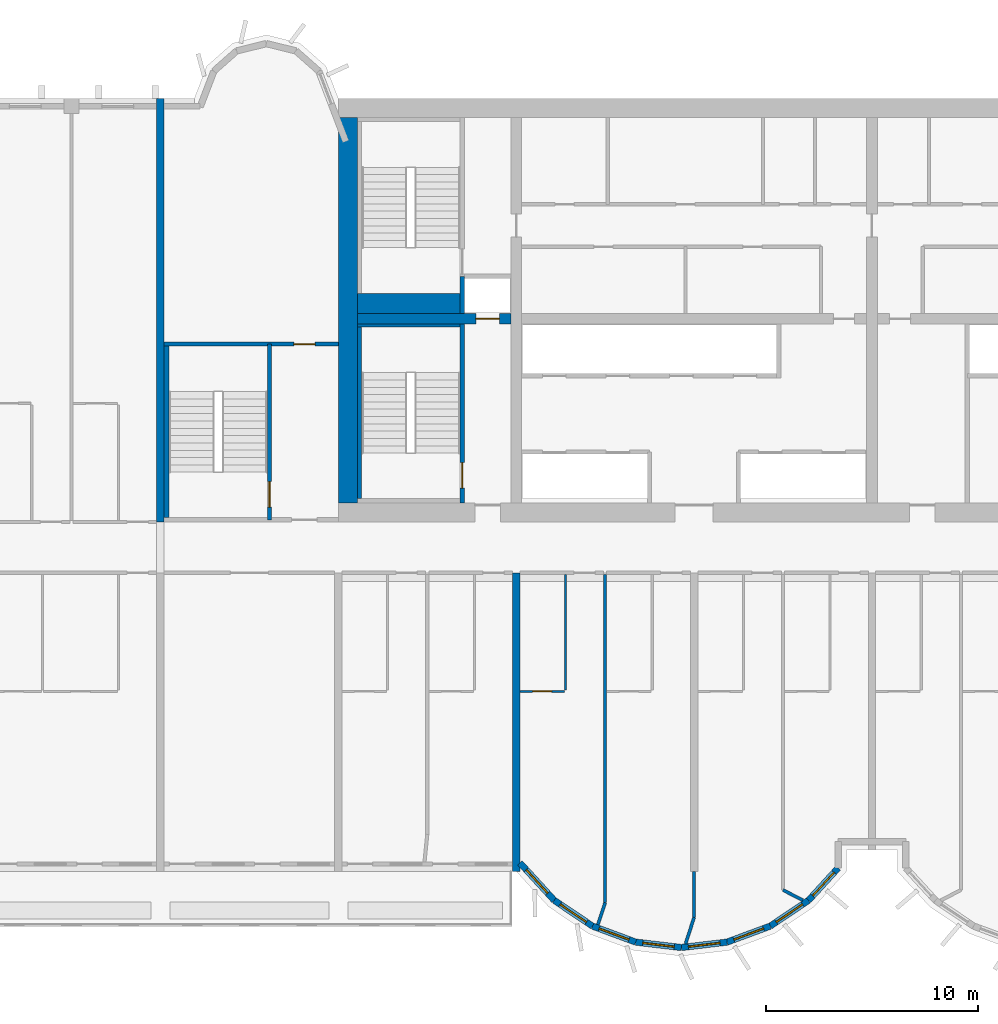
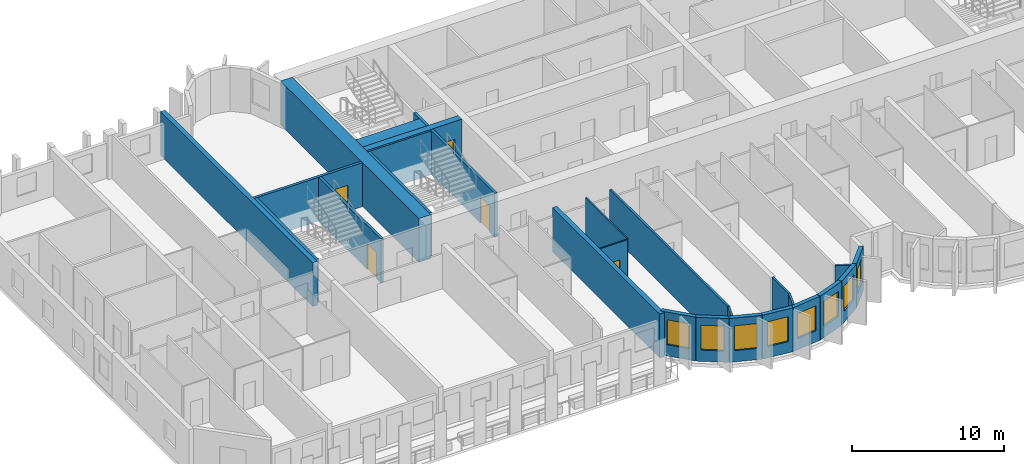
# One storey, part 4 of 14: 27 walls, 8 windows, 5 doors, 13 openings.
"""IFC4 building model written with IfcOpenShell, lengths in metres."""

from ifc_helpers import new_model, si_unit, direction, frame, frame_2d, origin, place, context, subcontext, project, spatial, rectangle, extrude, source, transform, mapped, material, layer, layer_set, type_object, element, fill, save


model = new_model("IFC4")

# Units and contexts
model_context = context("Model", 3, precision=1e-05, world=origin(), true_north=direction((0.0, 1.0)))
body_context = subcontext(model_context, "Body", "Model", "MODEL_VIEW")
ifc_project = project(units=[si_unit("LENGTHUNIT", "METRE"), si_unit("AREAUNIT", "SQUARE_METRE"), si_unit("VOLUMEUNIT", "CUBIC_METRE"), si_unit("PLANEANGLEUNIT", "RADIAN"), si_unit("MASSUNIT", "GRAM", prefix="KILO")], contexts=[model_context])

# Site, building, storey
site_placement = place(None, origin())
site = spatial("IfcSite", under=ifc_project, at=site_placement, CompositionType="ELEMENT")
building_placement = place(site_placement, origin())
building = spatial("IfcBuilding", under=site, at=building_placement, Name="Vanashikhar Sky Hotel", CompositionType="ELEMENT")
storey_placement = place(building_placement, frame((0.0, 0.0, 99.0)))
storey = spatial("IfcBuildingStorey", under=building, at=storey_placement, Name="L23", CompositionType="ELEMENT", Elevation=99.0)

# Wall
ifc_material_1 = material(Name="Concrete M70", Category="concrete")
ifc_layer_1 = layer(ifc_material_1, 0.89990234375)
ifc_layer_set_1 = layer_set([ifc_layer_1], Name="RC core shell wall 900 Concrete M70")
wall_type_1 = type_object("IfcWallType", Name="RC core shell wall 900 Concrete M70", PredefinedType="SHEAR", material=ifc_layer_set_1)
shared_shape_1 = source(origin(), body_context, "Body", "SweptSolid", [
    extrude(rectangle(XDim=18.2001953125, YDim=0.89990234375, at=frame_2d((9.10009765625, 0.0))), origin(), (0.0, 0.0, 1.0), 3.52001953125),
])
wall_1_placement = place(storey_placement, frame((25.64990234375, 22.89990234375, 0.0), z_axis=(0.0, 0.0, 1.0), x_axis=(0.0, 1.0, 0.0)))
element("IfcWall", 1, at=wall_1_placement, inside=storey, type_object=wall_type_1, Name="KW-L23-KW", PredefinedType="SHEAR", context=body_context, shape_type="MappedRepresentation", body=[
    mapped(shared_shape_1, transform((0.0, 0.0, 0.0), scale=1.0)),
])

# Wall, opening, door
ifc_layer_2 = layer(ifc_material_1, 0.5)
ifc_layer_set_2 = layer_set([ifc_layer_2], Name="RC core inner wall 500 Concrete M70")
wall_type_2 = type_object("IfcWallType", Name="RC core inner wall 500 Concrete M70", PredefinedType="SHEAR", material=ifc_layer_set_2)
shared_shape_2 = source(origin(), body_context, "Body", "SweptSolid", [
    extrude(rectangle(XDim=7.25, YDim=0.5, at=frame_2d((3.625, 0.0))), origin(), (0.0, 0.0, 1.0), 3.52001953125),
])
wall_2_placement = place(storey_placement, frame((26.10009765625, 31.60009765625, 0.0), z_axis=(0.0, 0.0, 1.0), x_axis=(1.0, 0.0, 0.0)))
wall_2 = element("IfcWall", 2, at=wall_2_placement, inside=storey, type_object=wall_type_2, Name="KW-L23-KY1", PredefinedType="SHEAR", context=body_context, shape_type="MappedRepresentation", body=[
    mapped(shared_shape_2, transform((0.0, 0.0, 0.0), scale=1.0)),
])
shared_shape_3 = source(origin(), body_context, "Body", "SweptSolid", [
    extrude(rectangle(XDim=1.10009765625, YDim=2.10009765625, at=frame_2d((0.550048828125, 1.050048828125))), frame((0.0, 0.260009765625, 0.0), z_axis=(0.0, -1.0, 0.0), x_axis=(1.0, 0.0, 0.0)), (0.0, 0.0, 1.0), 0.52001953125),
])
opening_1_placement = place(wall_2_placement, frame((5.60009765625, 0.0, 0.0)))
opening_1 = element("IfcOpeningElement", 3, at=opening_1_placement, cuts=wall_2, Name="Opening LD", PredefinedType="OPENING", context=body_context, shape_type="MappedRepresentation", body=[
    mapped(shared_shape_3, transform((0.0, 0.0, 0.0), scale=1.0)),
])
ifc_material_2 = material(Name="Stainless steel", Category="steel")
door_type_1 = type_object("IfcDoorType", Name="Lift landing door 1100", OperationType="NOTDEFINED", PredefinedType="DOOR", material=ifc_material_2)
shared_shape_4 = source(origin(), body_context, "Body", "SweptSolid", [
    extrude(rectangle(XDim=1.10009765625, YDim=2.10009765625, at=frame_2d((0.550048828125, 1.050048828125))), frame((0.0, 0.02490234375, 0.0), z_axis=(0.0, -1.0, 0.0), x_axis=(1.0, 0.0, 0.0)), (0.0, 0.0, 1.0), 0.050048828125),
])
door_1_placement = place(opening_1_placement, origin())
door_1 = element("IfcDoor", 4, at=door_1_placement, inside=storey, type_object=door_type_1, Name="Lift landing door 1100", OperationType="SLIDING_TO_RIGHT", OverallHeight=2.10009765625, OverallWidth=1.10009765625, PredefinedType="DOOR", context=body_context, shape_type="MappedRepresentation", body=[
    mapped(shared_shape_4, transform((0.0, 0.0, 0.0), scale=1.0)),
])
fill(opening_1, door_1)

# Walls
ifc_layer_3 = layer(ifc_material_1, 0.35009765625)
ifc_layer_set_3 = layer_set([ifc_layer_3], Name="RC shear wall 350 Concrete M70")
wall_type_3 = type_object("IfcWallType", Name="RC shear wall 350 Concrete M70", PredefinedType="SHEAR", material=ifc_layer_set_3)
shared_shape_5 = source(origin(), body_context, "Body", "SweptSolid", [
    extrude(rectangle(XDim=14.10009765625, YDim=0.35009765625, at=frame_2d((7.050048828125, 0.0))), origin(), (0.0, 0.0, 1.0), 3.52001953125),
])
wall_3_placement = place(storey_placement, frame((33.60009765625, 5.5, 0.0), z_axis=(0.0, 0.0, 1.0), x_axis=(0.0, 1.0, 0.0)))
element("IfcWall", 5, at=wall_3_placement, inside=storey, type_object=wall_type_3, Name="CW-L23-XW05-1", PredefinedType="SHEAR", context=body_context, shape_type="MappedRepresentation", body=[
    mapped(shared_shape_5, transform((0.0, 0.0, 0.0), scale=1.0)),
])
shared_shape_6 = source(origin(), body_context, "Body", "SweptSolid", [
    extrude(rectangle(XDim=20.0, YDim=0.35009765625, at=frame_2d((10.0, 0.0))), origin(), (0.0, 0.0, 1.0), 3.52001953125),
])
wall_4_placement = place(storey_placement, frame((16.800048828125, 22.0, 0.0), z_axis=(0.0, 0.0, 1.0), x_axis=(0.0, 1.0, 0.0)))
element("IfcWall", 6, at=wall_4_placement, inside=storey, type_object=wall_type_3, Name="CW-L23-XW03-2", PredefinedType="SHEAR", context=body_context, shape_type="MappedRepresentation", body=[
    mapped(shared_shape_6, transform((0.0, 0.0, 0.0), scale=1.0)),
])

# Wall, opening, window
ifc_material_3 = material(Name="Concrete M50", Category="concrete")
ifc_layer_4 = layer(ifc_material_3, 0.300048828125)
ifc_layer_set_4 = layer_set([ifc_layer_4], Name="Lobe wall 300")
wall_type_4 = type_object("IfcWallType", Name="Lobe wall 300", PredefinedType="SOLIDWALL", material=ifc_layer_set_4)
shared_shape_7 = source(origin(), body_context, "Body", "SweptSolid", [
    extrude(rectangle(XDim=2.398193359375, YDim=0.300048828125, at=frame_2d((1.19921875, 0.0))), origin(), (0.0, 0.0, 1.0), 3.52001953125),
])
wall_5_placement = place(storey_placement, frame((33.776123046875, 5.89990234375, 0.0), z_axis=(0.0, 0.0, 1.0), x_axis=(0.675374189419, -0.737475222815, 0.0)))
wall_5 = element("IfcWall", 7, at=wall_5_placement, inside=storey, type_object=wall_type_4, Name="Lobe wall", PredefinedType="SOLIDWALL", context=body_context, shape_type="MappedRepresentation", body=[
    mapped(shared_shape_7, transform((0.0, 0.0, 0.0), scale=1.0)),
])
shared_shape_8 = source(origin(), body_context, "Body", "SweptSolid", [
    extrude(rectangle(XDim=1.5, YDim=2.0, at=frame_2d((0.75, 1.0))), frame((0.0, 0.16015625, 0.0), z_axis=(0.0, -1.0, 0.0), x_axis=(1.0, 0.0, 0.0)), (0.0, 0.0, 1.0), 0.320068359375),
])
opening_2_placement = place(wall_5_placement, frame((0.44921875, 0.0, 0.89990234375)))
opening_2 = element("IfcOpeningElement", 8, at=opening_2_placement, cuts=wall_5, Name="Opening WN-2", PredefinedType="OPENING", context=body_context, shape_type="MappedRepresentation", body=[
    mapped(shared_shape_8, transform((0.0, 0.0, 0.0), scale=1.0)),
])
ifc_material_4 = material(Name="Glass", Category="glass")
window_type = type_object("IfcWindowType", Name="Lobe window 1500 x 2000", PartitioningType="SINGLE_PANEL", PredefinedType="WINDOW", material=ifc_material_4)
shared_shape_9 = source(origin(), body_context, "Body", "SweptSolid", [
    extrude(rectangle(XDim=1.5, YDim=2.0, at=frame_2d((0.75, 1.0))), frame((0.0, 0.030029296875, 0.0), z_axis=(0.0, -1.0, 0.0), x_axis=(1.0, 0.0, 0.0)), (0.0, 0.0, 1.0), 0.06005859375),
])
window_1_placement = place(opening_2_placement, origin())
window_1 = element("IfcWindow", 9, at=window_1_placement, inside=storey, type_object=window_type, Name="Window WN-2", OverallHeight=2.0, OverallWidth=1.5, PartitioningType="SINGLE_PANEL", PredefinedType="WINDOW", context=body_context, shape_type="MappedRepresentation", body=[
    mapped(shared_shape_9, transform((0.0, 0.0, 0.0), scale=1.0)),
])
fill(opening_2, window_1)

shared_shape_10 = source(origin(), body_context, "Body", "SweptSolid", [
    extrude(rectangle(XDim=2.17578125, YDim=0.300048828125, at=frame_2d((1.087890625, 0.0))), origin(), (0.0, 0.0, 1.0), 3.52001953125),
])
wall_6_placement = place(storey_placement, frame((35.395751953125, 4.13134765625, 0.0), z_axis=(0.0, 0.0, 1.0), x_axis=(0.829590746428, -0.558371913192, 0.0)))
wall_6 = element("IfcWall", 10, at=wall_6_placement, inside=storey, type_object=wall_type_4, Name="Lobe wall", PredefinedType="SOLIDWALL", context=body_context, shape_type="MappedRepresentation", body=[
    mapped(shared_shape_10, transform((0.0, 0.0, 0.0), scale=1.0)),
])
opening_3_placement = place(wall_6_placement, frame((0.337890625, 0.0, 0.89990234375)))
opening_3 = element("IfcOpeningElement", 11, at=opening_3_placement, cuts=wall_6, Name="Opening WN-2", PredefinedType="OPENING", context=body_context, shape_type="MappedRepresentation", body=[
    mapped(shared_shape_8, transform((0.0, 0.0, 0.0), scale=1.0)),
])
window_2_placement = place(opening_3_placement, origin())
window_2 = element("IfcWindow", 12, at=window_2_placement, inside=storey, type_object=window_type, Name="Window WN-2", OverallHeight=2.0, OverallWidth=1.5, PartitioningType="SINGLE_PANEL", PredefinedType="WINDOW", context=body_context, shape_type="MappedRepresentation", body=[
    mapped(shared_shape_9, transform((0.0, 0.0, 0.0), scale=1.0)),
])
fill(opening_3, window_2)

wall_7_placement = place(storey_placement, frame((37.20068359375, 2.91650390625, 0.0), z_axis=(0.0, 0.0, 1.0), x_axis=(0.93754555999, -0.347862505801, 0.0)))
wall_7 = element("IfcWall", 13, at=wall_7_placement, inside=storey, type_object=wall_type_4, Name="Lobe wall", PredefinedType="SOLIDWALL", context=body_context, shape_type="MappedRepresentation", body=[
    mapped(shared_shape_10, transform((0.0, 0.0, 0.0), scale=1.0)),
])
opening_4_placement = place(wall_7_placement, frame((0.337890625, 0.0, 0.89990234375)))
opening_4 = element("IfcOpeningElement", 14, at=opening_4_placement, cuts=wall_7, Name="Opening WN-2", PredefinedType="OPENING", context=body_context, shape_type="MappedRepresentation", body=[
    mapped(shared_shape_8, transform((0.0, 0.0, 0.0), scale=1.0)),
])
window_3_placement = place(opening_4_placement, origin())
window_3 = element("IfcWindow", 15, at=window_3_placement, inside=storey, type_object=window_type, Name="Window WN-2", OverallHeight=2.0, OverallWidth=1.5, PartitioningType="SINGLE_PANEL", PredefinedType="WINDOW", context=body_context, shape_type="MappedRepresentation", body=[
    mapped(shared_shape_9, transform((0.0, 0.0, 0.0), scale=1.0)),
])
fill(opening_4, window_3)

wall_8_placement = place(storey_placement, frame((45.59912109375, 2.91650390625, 0.0), z_axis=(0.0, 0.0, 1.0), x_axis=(0.829625727223, 0.558319937607, 0.0)))
wall_8 = element("IfcWall", 16, at=wall_8_placement, inside=storey, type_object=wall_type_4, Name="Lobe wall", PredefinedType="SOLIDWALL", context=body_context, shape_type="MappedRepresentation", body=[
    mapped(shared_shape_10, transform((0.0, 0.0, 0.0), scale=1.0)),
])
opening_5_placement = place(wall_8_placement, frame((0.337890625, 0.0, 0.89990234375)))
opening_5 = element("IfcOpeningElement", 17, at=opening_5_placement, cuts=wall_8, Name="Opening WN-2", PredefinedType="OPENING", context=body_context, shape_type="MappedRepresentation", body=[
    mapped(shared_shape_8, transform((0.0, 0.0, 0.0), scale=1.0)),
])
window_4_placement = place(opening_5_placement, origin())
window_4 = element("IfcWindow", 18, at=window_4_placement, inside=storey, type_object=window_type, Name="Window WN-2", OverallHeight=2.0, OverallWidth=1.5, PartitioningType="SINGLE_PANEL", PredefinedType="WINDOW", context=body_context, shape_type="MappedRepresentation", body=[
    mapped(shared_shape_9, transform((0.0, 0.0, 0.0), scale=1.0)),
])
fill(opening_5, window_4)

shared_shape_11 = source(origin(), body_context, "Body", "SweptSolid", [
    extrude(rectangle(XDim=2.174560546875, YDim=0.300048828125, at=frame_2d((1.08740234375, 0.0))), origin(), (0.0, 0.0, 1.0), 3.52001953125),
])
wall_9_placement = place(storey_placement, frame((39.240478515625, 2.15966796875, 0.0), z_axis=(0.0, 0.0, 1.0), x_axis=(0.993001132889, -0.118104826659, 0.0)))
wall_9 = element("IfcWall", 19, at=wall_9_placement, inside=storey, type_object=wall_type_4, Name="Lobe wall", PredefinedType="SOLIDWALL", context=body_context, shape_type="MappedRepresentation", body=[
    mapped(shared_shape_11, transform((0.0, 0.0, 0.0), scale=1.0)),
])
opening_6_placement = place(wall_9_placement, frame((0.33740234375, 0.0, 0.89990234375)))
opening_6 = element("IfcOpeningElement", 20, at=opening_6_placement, cuts=wall_9, Name="Opening WN-2", PredefinedType="OPENING", context=body_context, shape_type="MappedRepresentation", body=[
    mapped(shared_shape_8, transform((0.0, 0.0, 0.0), scale=1.0)),
])
window_5_placement = place(opening_6_placement, origin())
window_5 = element("IfcWindow", 21, at=window_5_placement, inside=storey, type_object=window_type, Name="Window WN-2", OverallHeight=2.0, OverallWidth=1.5, PartitioningType="SINGLE_PANEL", PredefinedType="WINDOW", context=body_context, shape_type="MappedRepresentation", body=[
    mapped(shared_shape_9, transform((0.0, 0.0, 0.0), scale=1.0)),
])
fill(opening_6, window_5)

shared_shape_12 = source(origin(), body_context, "Body", "SweptSolid", [
    extrude(rectangle(XDim=2.1748046875, YDim=0.300048828125, at=frame_2d((1.08740234375, 0.0))), origin(), (0.0, 0.0, 1.0), 3.52001953125),
])
wall_10_placement = place(storey_placement, frame((41.39990234375, 1.90283203125, 0.0), z_axis=(0.0, 0.0, 1.0), x_axis=(0.993002698611, 0.118091661648, 0.0)))
wall_10 = element("IfcWall", 22, at=wall_10_placement, inside=storey, type_object=wall_type_4, Name="Lobe wall", PredefinedType="SOLIDWALL", context=body_context, shape_type="MappedRepresentation", body=[
    mapped(shared_shape_12, transform((0.0, 0.0, 0.0), scale=1.0)),
])
opening_7_placement = place(wall_10_placement, frame((0.33740234375, 0.0, 0.89990234375)))
opening_7 = element("IfcOpeningElement", 23, at=opening_7_placement, cuts=wall_10, Name="Opening WN-2", PredefinedType="OPENING", context=body_context, shape_type="MappedRepresentation", body=[
    mapped(shared_shape_8, transform((0.0, 0.0, 0.0), scale=1.0)),
])
window_6_placement = place(opening_7_placement, origin())
window_6 = element("IfcWindow", 24, at=window_6_placement, inside=storey, type_object=window_type, Name="Window WN-2", OverallHeight=2.0, OverallWidth=1.5, PartitioningType="SINGLE_PANEL", PredefinedType="WINDOW", context=body_context, shape_type="MappedRepresentation", body=[
    mapped(shared_shape_9, transform((0.0, 0.0, 0.0), scale=1.0)),
])
fill(opening_7, window_6)

shared_shape_13 = source(origin(), body_context, "Body", "SweptSolid", [
    extrude(rectangle(XDim=2.175537109375, YDim=0.300048828125, at=frame_2d((1.087890625, 0.0))), origin(), (0.0, 0.0, 1.0), 3.52001953125),
])
wall_11_placement = place(storey_placement, frame((43.5595703125, 2.15966796875, 0.0), z_axis=(0.0, 0.0, 1.0), x_axis=(0.937531979054, 0.347899106424, 0.0)))
wall_11 = element("IfcWall", 25, at=wall_11_placement, inside=storey, type_object=wall_type_4, Name="Lobe wall", PredefinedType="SOLIDWALL", context=body_context, shape_type="MappedRepresentation", body=[
    mapped(shared_shape_13, transform((0.0, 0.0, 0.0), scale=1.0)),
])
opening_8_placement = place(wall_11_placement, frame((0.337890625, 0.0, 0.89990234375)))
opening_8 = element("IfcOpeningElement", 26, at=opening_8_placement, cuts=wall_11, Name="Opening WN-2", PredefinedType="OPENING", context=body_context, shape_type="MappedRepresentation", body=[
    mapped(shared_shape_8, transform((0.0, 0.0, 0.0), scale=1.0)),
])
window_7_placement = place(opening_8_placement, origin())
window_7 = element("IfcWindow", 27, at=window_7_placement, inside=storey, type_object=window_type, Name="Window WN-2", OverallHeight=2.0, OverallWidth=1.5, PartitioningType="SINGLE_PANEL", PredefinedType="WINDOW", context=body_context, shape_type="MappedRepresentation", body=[
    mapped(shared_shape_9, transform((0.0, 0.0, 0.0), scale=1.0)),
])
fill(opening_8, window_7)

shared_shape_14 = source(origin(), body_context, "Body", "SweptSolid", [
    extrude(rectangle(XDim=2.066650390625, YDim=0.300048828125, at=frame_2d((1.033203125, 0.0))), origin(), (0.0, 0.0, 1.0), 3.52001953125),
])
wall_12_placement = place(storey_placement, frame((47.404296875, 4.13134765625, 0.0), z_axis=(0.0, 0.0, 1.0), x_axis=(0.675355439877, 0.737492393065, 0.0)))
wall_12 = element("IfcWall", 28, at=wall_12_placement, inside=storey, type_object=wall_type_4, Name="Lobe wall", PredefinedType="SOLIDWALL", context=body_context, shape_type="MappedRepresentation", body=[
    mapped(shared_shape_14, transform((0.0, 0.0, 0.0), scale=1.0)),
])
opening_9_placement = place(wall_12_placement, frame((0.283447265625, 0.0, 0.89990234375)))
opening_9 = element("IfcOpeningElement", 29, at=opening_9_placement, cuts=wall_12, Name="Opening WN-2", PredefinedType="OPENING", context=body_context, shape_type="MappedRepresentation", body=[
    mapped(shared_shape_8, transform((0.0, 0.0, 0.0), scale=1.0)),
])
window_8_placement = place(opening_9_placement, origin())
window_8 = element("IfcWindow", 30, at=window_8_placement, inside=storey, type_object=window_type, Name="Window WN-2", OverallHeight=2.0, OverallWidth=1.5, PartitioningType="SINGLE_PANEL", PredefinedType="WINDOW", context=body_context, shape_type="MappedRepresentation", body=[
    mapped(shared_shape_9, transform((0.0, 0.0, 0.0), scale=1.0)),
])
fill(opening_9, window_8)

# Wall, opening, door
ifc_layer_5 = layer(ifc_material_3, 0.199951171875)
ifc_layer_set_5 = layer_set([ifc_layer_5], Name="Stair wall 200")
wall_type_5 = type_object("IfcWallType", Name="Stair wall 200", PredefinedType="SOLIDWALL", material=ifc_layer_set_5)
shared_shape_15 = source(origin(), body_context, "Body", "SweptSolid", [
    extrude(rectangle(XDim=8.2998046875, YDim=0.199951171875, at=frame_2d((4.14990234375, 0.0))), origin(), (0.0, 0.0, 1.0), 3.52001953125),
])
wall_13_placement = place(storey_placement, frame((21.949951171875, 22.10009765625, 0.0), z_axis=(0.0, 0.0, 1.0), x_axis=(0.0, 1.0, 0.0)))
wall_13 = element("IfcWall", 31, at=wall_13_placement, inside=storey, type_object=wall_type_5, Name="Stair wall 200", PredefinedType="SOLIDWALL", context=body_context, shape_type="MappedRepresentation", body=[
    mapped(shared_shape_15, transform((0.0, 0.0, 0.0), scale=1.0)),
])
shared_shape_16 = source(origin(), body_context, "Body", "SweptSolid", [
    extrude(rectangle(XDim=1.199951171875, YDim=2.10009765625, at=frame_2d((0.60009765625, 1.050048828125))), frame((0.0, 0.10986328125, 0.0), z_axis=(0.0, -1.0, 0.0), x_axis=(1.0, 0.0, 0.0)), (0.0, 0.0, 1.0), 0.219970703125),
])
opening_10_placement = place(wall_13_placement, frame((0.60009765625, 0.0, 0.0)))
opening_10 = element("IfcOpeningElement", 32, at=opening_10_placement, cuts=wall_13, Name="Opening DC-1", PredefinedType="OPENING", context=body_context, shape_type="MappedRepresentation", body=[
    mapped(shared_shape_16, transform((0.0, 0.0, 0.0), scale=1.0)),
])
ifc_material_5 = material(Name="Steel", Category="steel")
door_type_2 = type_object("IfcDoorType", Name="Stair door 1200 FD120", OperationType="NOTDEFINED", PredefinedType="DOOR", material=ifc_material_5)
shared_shape_17 = source(origin(), body_context, "Body", "SweptSolid", [
    extrude(rectangle(XDim=1.199951171875, YDim=2.10009765625, at=frame_2d((0.60009765625, 1.050048828125))), frame((0.0, 0.02490234375, 0.0), z_axis=(0.0, -1.0, 0.0), x_axis=(1.0, 0.0, 0.0)), (0.0, 0.0, 1.0), 0.050048828125),
])
door_2_placement = place(opening_10_placement, origin())
door_2 = element("IfcDoor", 33, at=door_2_placement, inside=storey, type_object=door_type_2, Name="Stair door 1200 FD120", OperationType="SINGLE_SWING_RIGHT", OverallHeight=2.10009765625, OverallWidth=1.199951171875, PredefinedType="DOOR", context=body_context, shape_type="MappedRepresentation", body=[
    mapped(shared_shape_17, transform((0.0, 0.0, 0.0), scale=1.0)),
])
fill(opening_10, door_2)

shared_shape_18 = source(origin(), body_context, "Body", "SweptSolid", [
    extrude(rectangle(XDim=8.4501953125, YDim=0.199951171875, at=frame_2d((4.22509765625, 0.0))), origin(), (0.0, 0.0, 1.0), 3.52001953125),
])
wall_14_placement = place(storey_placement, frame((31.050048828125, 22.89990234375, 0.0), z_axis=(0.0, 0.0, 1.0), x_axis=(0.0, 1.0, 0.0)))
wall_14 = element("IfcWall", 34, at=wall_14_placement, inside=storey, type_object=wall_type_5, Name="Stair wall 200", PredefinedType="SOLIDWALL", context=body_context, shape_type="MappedRepresentation", body=[
    mapped(shared_shape_18, transform((0.0, 0.0, 0.0), scale=1.0)),
])
opening_11_placement = place(wall_14_placement, frame((0.699951171875, 0.0, 0.0)))
opening_11 = element("IfcOpeningElement", 35, at=opening_11_placement, cuts=wall_14, Name="Opening DC-1", PredefinedType="OPENING", context=body_context, shape_type="MappedRepresentation", body=[
    mapped(shared_shape_16, transform((0.0, 0.0, 0.0), scale=1.0)),
])
door_3_placement = place(opening_11_placement, origin())
door_3 = element("IfcDoor", 36, at=door_3_placement, inside=storey, type_object=door_type_2, Name="Stair door 1200 FD120", OperationType="SINGLE_SWING_RIGHT", OverallHeight=2.10009765625, OverallWidth=1.199951171875, PredefinedType="DOOR", context=body_context, shape_type="MappedRepresentation", body=[
    mapped(shared_shape_17, transform((0.0, 0.0, 0.0), scale=1.0)),
])
fill(opening_11, door_3)

# Wall
ifc_material_6 = material(Name="Concrete M40", Category="concrete")
ifc_layer_6 = layer(ifc_material_6, 0.199951171875)
ifc_layer_set_6 = layer_set([ifc_layer_6], Name="Shaft wall 200")
wall_type_6 = type_object("IfcWallType", Name="Shaft wall 200", PredefinedType="SOLIDWALL", material=ifc_layer_set_6)
shared_shape_19 = source(origin(), body_context, "Body", "SweptSolid", [
    extrude(rectangle(XDim=1.75, YDim=0.199951171875, at=frame_2d((0.875, 0.0))), origin(), (0.0, 0.0, 1.0), 3.52001953125),
])
wall_15_placement = place(storey_placement, frame((31.050048828125, 31.85009765625, 0.0), z_axis=(0.0, 0.0, 1.0), x_axis=(0.0, 1.0, 0.0)))
element("IfcWall", 37, at=wall_15_placement, inside=storey, type_object=wall_type_6, Name="Shaft wall 200", PredefinedType="SOLIDWALL", context=body_context, shape_type="MappedRepresentation", body=[
    mapped(shared_shape_19, transform((0.0, 0.0, 0.0), scale=1.0)),
])

# Wall, opening, door
shared_shape_20 = source(origin(), body_context, "Body", "SweptSolid", [
    extrude(rectangle(XDim=8.224853515625, YDim=0.199951171875, at=frame_2d((4.1123046875, 0.0))), origin(), (0.0, 0.0, 1.0), 3.52001953125),
])
wall_16_placement = place(storey_placement, frame((16.97509765625, 30.39990234375, 0.0), z_axis=(0.0, 0.0, 1.0), x_axis=(1.0, 0.0, 0.0)))
wall_16 = element("IfcWall", 38, at=wall_16_placement, inside=storey, type_object=wall_type_5, Name="Stair wall 200", PredefinedType="SOLIDWALL", context=body_context, shape_type="MappedRepresentation", body=[
    mapped(shared_shape_20, transform((0.0, 0.0, 0.0), scale=1.0)),
])
shared_shape_21 = source(origin(), body_context, "Body", "SweptSolid", [
    extrude(rectangle(XDim=1.0, YDim=2.10009765625, at=frame_2d((0.5, 1.050048828125))), frame((0.0, 0.10986328125, 0.0), z_axis=(0.0, -1.0, 0.0), x_axis=(1.0, 0.0, 0.0)), (0.0, 0.0, 1.0), 0.219970703125),
])
opening_12_placement = place(wall_16_placement, frame((6.125, 0.0, 0.0)))
opening_12 = element("IfcOpeningElement", 39, at=opening_12_placement, cuts=wall_16, Name="Opening DC-6", PredefinedType="OPENING", context=body_context, shape_type="MappedRepresentation", body=[
    mapped(shared_shape_21, transform((0.0, 0.0, 0.0), scale=1.0)),
])
door_type_3 = type_object("IfcDoorType", Name="Pocket door 1000 FD60", OperationType="NOTDEFINED", PredefinedType="DOOR", material=ifc_material_5)
shared_shape_22 = source(origin(), body_context, "Body", "SweptSolid", [
    extrude(rectangle(XDim=1.0, YDim=2.10009765625, at=frame_2d((0.5, 1.050048828125))), frame((0.0, 0.02490234375, 0.0), z_axis=(0.0, -1.0, 0.0), x_axis=(1.0, 0.0, 0.0)), (0.0, 0.0, 1.0), 0.050048828125),
])
door_4_placement = place(opening_12_placement, origin())
door_4 = element("IfcDoor", 40, at=door_4_placement, inside=storey, type_object=door_type_3, Name="Pocket door 1000 FD60", OperationType="SINGLE_SWING_LEFT", OverallHeight=2.10009765625, OverallWidth=1.0, PredefinedType="DOOR", context=body_context, shape_type="MappedRepresentation", body=[
    mapped(shared_shape_22, transform((0.0, 0.0, 0.0), scale=1.0)),
])
fill(opening_12, door_4)

# Walls
ifc_layer_7 = layer(ifc_material_3, 0.14990234375)
ifc_layer_set_7 = layer_set([ifc_layer_7], Name="Stair infill wall 150")
wall_type_7 = type_object("IfcWallType", Name="Stair infill wall 150", PredefinedType="SOLIDWALL", material=ifc_layer_set_7)
shared_shape_23 = source(origin(), body_context, "Body", "SweptSolid", [
    extrude(rectangle(XDim=4.849853515625, YDim=0.14990234375, at=frame_2d((2.4248046875, 0.0))), origin(), (0.0, 0.0, 1.0), 3.52001953125),
])
wall_17_placement = place(storey_placement, frame((26.10009765625, 31.27490234375, 0.0), z_axis=(0.0, 0.0, 1.0), x_axis=(1.0, 0.0, 0.0)))
element("IfcWall", 41, at=wall_17_placement, inside=storey, type_object=wall_type_7, Name="Stair infill wall 150", PredefinedType="SOLIDWALL", context=body_context, shape_type="MappedRepresentation", body=[
    mapped(shared_shape_23, transform((0.0, 0.0, 0.0), scale=1.0)),
])
ifc_layer_8 = layer(ifc_material_3, 0.199951171875)
ifc_layer_set_8 = layer_set([ifc_layer_8], Name="Stair infill wall 200")
wall_type_8 = type_object("IfcWallType", Name="Stair infill wall 200", PredefinedType="SOLIDWALL", material=ifc_layer_set_8)
shared_shape_24 = source(origin(), body_context, "Body", "SweptSolid", [
    extrude(rectangle(XDim=8.099853515625, YDim=0.199951171875, at=frame_2d((4.0498046875, 0.0))), origin(), (0.0, 0.0, 1.0), 3.52001953125),
])
wall_18_placement = place(storey_placement, frame((26.199951171875, 23.10009765625, 0.0), z_axis=(0.0, 0.0, 1.0), x_axis=(0.0, 1.0, 0.0)))
element("IfcWall", 42, at=wall_18_placement, inside=storey, type_object=wall_type_8, Name="Stair infill wall 200", PredefinedType="SOLIDWALL", context=body_context, shape_type="MappedRepresentation", body=[
    mapped(shared_shape_24, transform((0.0, 0.0, 0.0), scale=1.0)),
])
ifc_layer_9 = layer(ifc_material_3, 0.22509765625)
ifc_layer_set_9 = layer_set([ifc_layer_9], Name="Stair infill wall 225")
wall_type_9 = type_object("IfcWallType", Name="Stair infill wall 225", PredefinedType="SOLIDWALL", material=ifc_layer_set_9)
shared_shape_25 = source(origin(), body_context, "Body", "SweptSolid", [
    extrude(rectangle(XDim=8.10009765625, YDim=0.22509765625, at=frame_2d((4.050048828125, 0.0))), origin(), (0.0, 0.0, 1.0), 3.52001953125),
])
wall_19_placement = place(storey_placement, frame((17.0869140625, 22.199951171875, 0.0), z_axis=(0.0, 0.0, 1.0), x_axis=(0.0, 1.0, 0.0)))
element("IfcWall", 43, at=wall_19_placement, inside=storey, type_object=wall_type_9, Name="Stair infill wall 225", PredefinedType="SOLIDWALL", context=body_context, shape_type="MappedRepresentation", body=[
    mapped(shared_shape_25, transform((0.0, 0.0, 0.0), scale=1.0)),
])
ifc_layer_10 = layer(ifc_material_3, 0.949951171875)
ifc_layer_set_10 = layer_set([ifc_layer_10], Name="Stair infill wall 950")
wall_type_10 = type_object("IfcWallType", Name="Stair infill wall 950", PredefinedType="SOLIDWALL", material=ifc_layer_set_10)
shared_shape_26 = source(origin(), body_context, "Body", "SweptSolid", [
    extrude(rectangle(XDim=4.849853515625, YDim=0.949951171875, at=frame_2d((2.4248046875, 0.0))), origin(), (0.0, 0.0, 1.0), 3.52001953125),
])
wall_20_placement = place(storey_placement, frame((26.10009765625, 32.324951171875, 0.0), z_axis=(0.0, 0.0, 1.0), x_axis=(1.0, 0.0, 0.0)))
element("IfcWall", 44, at=wall_20_placement, inside=storey, type_object=wall_type_10, Name="Stair infill wall 950", PredefinedType="SOLIDWALL", context=body_context, shape_type="MappedRepresentation", body=[
    mapped(shared_shape_26, transform((0.0, 0.0, 0.0), scale=1.0)),
])
ifc_material_7 = material(Name="Gypsum plasterboard partition")
ifc_layer_11 = layer(ifc_material_7, 0.14990234375)
ifc_layer_set_11 = layer_set([ifc_layer_11], Name="Corridor and demising partition 150")
wall_type_11 = type_object("IfcWallType", Name="Corridor and demising partition 150", PredefinedType="PARTITIONING", material=ifc_layer_set_11)
shared_shape_27 = source(origin(), body_context, "Body", "SweptSolid", [
    extrude(rectangle(XDim=2.177978515625, YDim=0.14990234375, at=frame_2d((1.0888671875, 0.0))), origin(), (0.0, 0.0, 1.0), 3.52001953125),
])
wall_21_placement = place(storey_placement, frame((42.0, 3.322021484375, 0.0), z_axis=(0.0, 0.0, 1.0), x_axis=(0.0, 1.0, 0.0)))
element("IfcWall", 45, at=wall_21_placement, inside=storey, type_object=wall_type_11, Name="W-L23-PW071", PredefinedType="PARTITIONING", context=body_context, shape_type="MappedRepresentation", body=[
    mapped(shared_shape_27, transform((0.0, 0.0, 0.0), scale=1.0)),
])
shared_shape_28 = source(origin(), body_context, "Body", "SweptSolid", [
    extrude(rectangle(XDim=1.100830078125, YDim=0.14990234375, at=frame_2d((0.55029296875, 0.0))), origin(), (0.0, 0.0, 1.0), 3.52001953125),
])
wall_22_placement = place(storey_placement, frame((37.45703125, 2.98095703125, 0.0), z_axis=(0.0, 0.0, 1.0), x_axis=(0.311567081539, 0.950224159712, 0.0)))
element("IfcWall", 46, at=wall_22_placement, inside=storey, type_object=wall_type_11, Name="W-L23-PW027B0", PredefinedType="PARTITIONING", context=body_context, shape_type="MappedRepresentation", body=[
    mapped(shared_shape_28, transform((0.0, 0.0, 0.0), scale=1.0)),
])
shared_shape_29 = source(origin(), body_context, "Body", "SweptSolid", [
    extrude(rectangle(XDim=1.0576171875, YDim=0.14990234375, at=frame_2d((0.52880859375, 0.0))), origin(), (0.0, 0.0, 1.0), 3.52001953125),
])
wall_23_placement = place(storey_placement, frame((47.139892578125, 4.134033203125, 0.0), z_axis=(0.0, 0.0, 1.0), x_axis=(-0.888723819054, 0.458442988218, 0.0)))
element("IfcWall", 47, at=wall_23_placement, inside=storey, type_object=wall_type_11, Name="W-L23-PW034B0", PredefinedType="PARTITIONING", context=body_context, shape_type="MappedRepresentation", body=[
    mapped(shared_shape_29, transform((0.0, 0.0, 0.0), scale=1.0)),
])
shared_shape_30 = source(origin(), body_context, "Body", "SweptSolid", [
    extrude(rectangle(XDim=1.308349609375, YDim=0.14990234375, at=frame_2d((0.654296875, 0.0))), origin(), (0.0, 0.0, 1.0), 3.52001953125),
])
wall_24_placement = place(storey_placement, frame((41.597900390625, 2.076904296875, 0.0), z_axis=(0.0, 0.0, 1.0), x_axis=(0.307313512187, 0.951608325535, 0.0)))
element("IfcWall", 48, at=wall_24_placement, inside=storey, type_object=wall_type_11, Name="W-L23-PW071B0", PredefinedType="PARTITIONING", context=body_context, shape_type="MappedRepresentation", body=[
    mapped(shared_shape_30, transform((0.0, 0.0, 0.0), scale=1.0)),
])
ifc_layer_12 = layer(ifc_material_7, 0.10009765625)
ifc_layer_set_12 = layer_set([ifc_layer_12], Name="Wet room partition 100")
wall_type_12 = type_object("IfcWallType", Name="Wet room partition 100", PredefinedType="PARTITIONING", material=ifc_layer_set_12)
shared_shape_31 = source(origin(), body_context, "Body", "SweptSolid", [
    extrude(rectangle(XDim=5.449951171875, YDim=0.10009765625, at=frame_2d((2.72509765625, 0.0))), origin(), (0.0, 0.0, 1.0), 3.52001953125),
])
wall_25_placement = place(storey_placement, frame((35.925048828125, 14.074951171875, 0.0), z_axis=(0.0, 0.0, 1.0), x_axis=(0.0, 1.0, 0.0)))
element("IfcWall", 49, at=wall_25_placement, inside=storey, type_object=wall_type_12, Name="W-L23-PW021", PredefinedType="PARTITIONING", context=body_context, shape_type="MappedRepresentation", body=[
    mapped(shared_shape_31, transform((0.0, 0.0, 0.0), scale=1.0)),
])

# Wall, opening, door
shared_shape_32 = source(origin(), body_context, "Body", "SweptSolid", [
    extrude(rectangle(XDim=2.10009765625, YDim=0.10009765625, at=frame_2d((1.050048828125, 0.0))), origin(), (0.0, 0.0, 1.0), 3.52001953125),
])
wall_26_placement = place(storey_placement, frame((33.77490234375, 14.0, 0.0), z_axis=(0.0, 0.0, 1.0), x_axis=(1.0, 0.0, 0.0)))
wall_26 = element("IfcWall", 50, at=wall_26_placement, inside=storey, type_object=wall_type_12, Name="W-L23-PW022", PredefinedType="PARTITIONING", context=body_context, shape_type="MappedRepresentation", body=[
    mapped(shared_shape_32, transform((0.0, 0.0, 0.0), scale=1.0)),
])
shared_shape_33 = source(origin(), body_context, "Body", "SweptSolid", [
    extrude(rectangle(XDim=0.89990234375, YDim=2.10009765625, at=frame_2d((0.449951171875, 1.050048828125))), frame((0.0, 0.06005859375, 0.0), z_axis=(0.0, -1.0, 0.0), x_axis=(1.0, 0.0, 0.0)), (0.0, 0.0, 1.0), 0.1201171875),
])
opening_13_placement = place(wall_26_placement, frame((0.60009765625, 0.0, 0.0)))
opening_13 = element("IfcOpeningElement", 51, at=opening_13_placement, cuts=wall_26, Name="Opening D-02", PredefinedType="OPENING", context=body_context, shape_type="MappedRepresentation", body=[
    mapped(shared_shape_33, transform((0.0, 0.0, 0.0), scale=1.0)),
])
ifc_material_8 = material(Name="Timber door", Category="wood")
door_type_4 = type_object("IfcDoorType", Name="Internal door 900", OperationType="NOTDEFINED", PredefinedType="DOOR", material=ifc_material_8)
shared_shape_34 = source(origin(), body_context, "Body", "SweptSolid", [
    extrude(rectangle(XDim=0.89990234375, YDim=2.10009765625, at=frame_2d((0.449951171875, 1.050048828125))), frame((0.0, 0.02490234375, 0.0), z_axis=(0.0, -1.0, 0.0), x_axis=(1.0, 0.0, 0.0)), (0.0, 0.0, 1.0), 0.050048828125),
])
door_5_placement = place(opening_13_placement, origin())
door_5 = element("IfcDoor", 52, at=door_5_placement, inside=storey, type_object=door_type_4, Name="D-L23-013", OperationType="SINGLE_SWING_RIGHT", OverallHeight=2.10009765625, OverallWidth=0.89990234375, PredefinedType="DOOR", context=body_context, shape_type="MappedRepresentation", body=[
    mapped(shared_shape_34, transform((0.0, 0.0, 0.0), scale=1.0)),
])
fill(opening_13, door_5)

# Wall
shared_shape_35 = source(origin(), body_context, "Body", "SweptSolid", [
    extrude(rectangle(XDim=15.497802734375, YDim=0.14990234375, at=frame_2d((7.7490234375, 0.0))), origin(), (0.0, 0.0, 1.0), 3.52001953125),
])
wall_27_placement = place(storey_placement, frame((37.800048828125, 4.027099609375, 0.0), z_axis=(0.0, 0.0, 1.0), x_axis=(0.0, 1.0, 0.0)))
element("IfcWall", 53, at=wall_27_placement, inside=storey, type_object=wall_type_11, Name="W-L23-PW027", PredefinedType="PARTITIONING", context=body_context, shape_type="MappedRepresentation", body=[
    mapped(shared_shape_35, transform((0.0, 0.0, 0.0), scale=1.0)),
])

save(model, "model.ifc")
